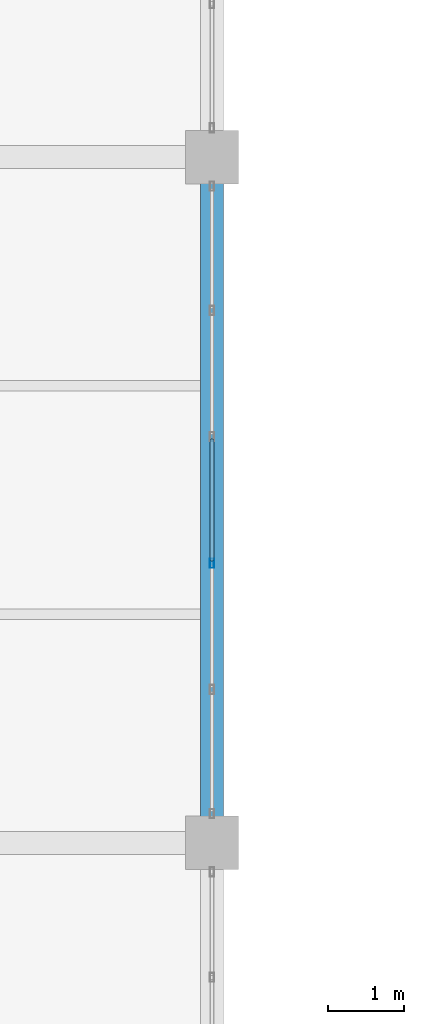
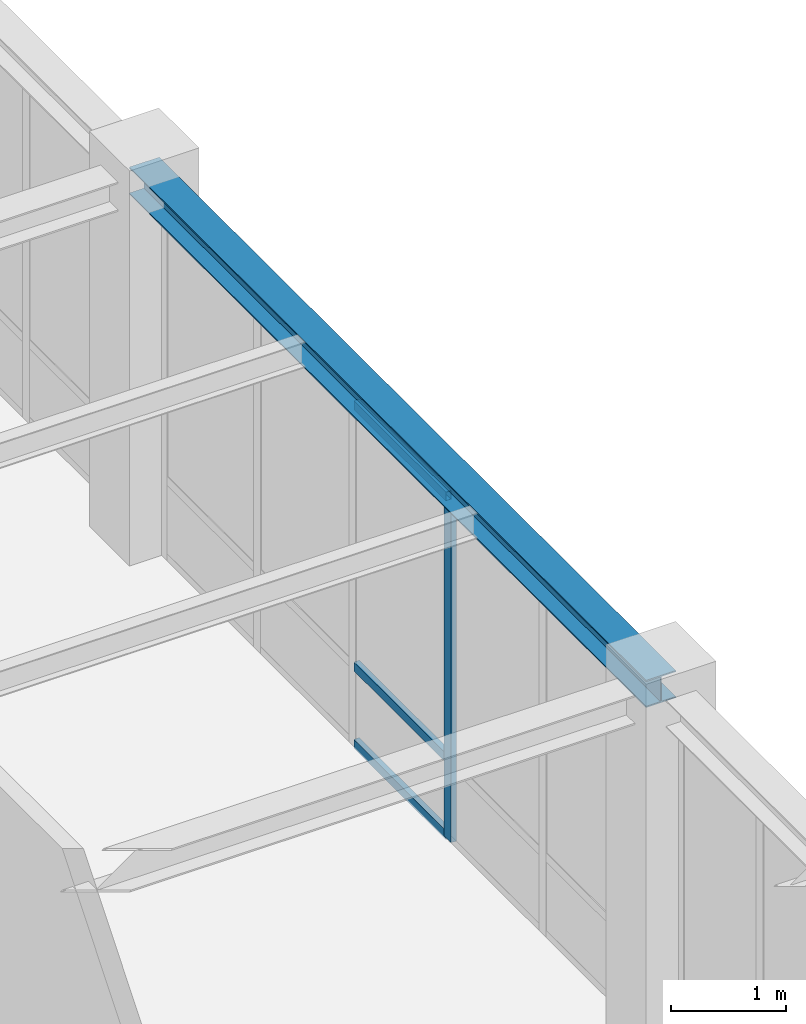
# One storey, part 23 of 130: 4 members, 1 beam, 1 element without a shape of its own.
"""IFC4 building model written with IfcOpenShell, lengths in metres."""

from ifc_helpers import new_model, si_unit, direction, frame, origin, origin_2d, place, context, subcontext, project, spatial, hollow_rectangle, i_section, extrude, material, material_profile, profile_set, type_object, element, aggregate, save


model = new_model("IFC4")

# Units and contexts
model_context = context("Model", 3, precision=1e-05, world=origin(), true_north=direction((0.0, 1.0)))
body_context = subcontext(model_context, "Body", "Model", "MODEL_VIEW")
ifc_project = project(units=[si_unit("LENGTHUNIT", "METRE"), si_unit("AREAUNIT", "SQUARE_METRE"), si_unit("VOLUMEUNIT", "CUBIC_METRE"), si_unit("PLANEANGLEUNIT", "RADIAN"), si_unit("MASSUNIT", "GRAM", prefix="KILO")], contexts=[model_context])

# Site, building, storey
site_placement = place(None, origin())
site = spatial("IfcSite", under=ifc_project, at=site_placement, CompositionType="ELEMENT")
building_placement = place(site_placement, origin())
building = spatial("IfcBuilding", under=site, at=building_placement, Name="Lykobir Media Centre", CompositionType="ELEMENT")
storey_placement = place(building_placement, frame((0.0, 0.0, 19.199951171875)))
storey = spatial("IfcBuildingStorey", under=building, at=storey_placement, Name="L04", CompositionType="ELEMENT", Elevation=19.199951171875)

# Beam
ifc_material_1 = material(Name="Steel S355", Category="steel")
ifc_material_profile_1 = material_profile(ifc_material_1, i_section(OverallWidth=0.300048828125, OverallDepth=0.2900390625, WebThickness=0.008544921875, FlangeThickness=0.013916015625, at=origin_2d()), Name="HEA 300")
ifc_profile_set_1 = profile_set([ifc_material_profile_1], Name="Steel S355")
beam_type = type_object("IfcBeamType", Name="BM-HEA300", PredefinedType="BEAM", material=ifc_profile_set_1)
beam_placement = place(storey_placement, frame((36.0, 27.0, 3.81494140625), z_axis=(0.0, 1.0, 0.0), x_axis=(-1.0, 0.0, 0.0)))
element("IfcBeam", 1, at=beam_placement, inside=storey, type_object=beam_type, Name="Beam BM-L04-0360-0270-0360-0360-2302", PredefinedType="BEAM", context=body_context, shape_type="SweptSolid", body=[
    extrude(i_section(OverallWidth=0.300048828125, OverallDepth=0.2900390625, WebThickness=0.008544921875, FlangeThickness=0.013916015625, at=origin_2d()), origin(), (0.0, 0.0, 1.0), 9.0),
])

# Curtain wall, members
ifc_material_2 = material(Name="Anodized Aluminium AW-6060", Category="aluminium")
curtain_wall_type = type_object("IfcCurtainWallType", Name="CW-COURT-B", PredefinedType="NOTDEFINED", material=ifc_material_2)
curtain_wall_placement = place(storey_placement, origin())
curtain_wall = element("IfcCurtainWall", 2, at=curtain_wall_placement, inside=storey, type_object=curtain_wall_type, Name="Curtain wall CW2-L04-0155", PredefinedType="NOTDEFINED")
ifc_material_profile_2 = material_profile(ifc_material_2, hollow_rectangle(XDim=0.054931640625, YDim=0.1201171875, WallThickness=0.003173828125, at=origin_2d()), Name="ALU MULLION 55x120")
ifc_profile_set_2 = profile_set([ifc_material_profile_2], Name="Anodized Aluminium AW-6060")
member_type_1 = type_object("IfcMemberType", Name="CWM-120", PredefinedType="MULLION", material=ifc_profile_set_2)
member_1_placement = place(storey_placement, frame((36.0, 30.6708984375, 0.0), z_axis=(0.0, 0.0, 1.0), x_axis=(1.0, 0.0, 0.0)))
member_1 = element("IfcMember", 3, at=member_1_placement, type_object=member_type_1, Name="CW2-L04-0155 mullion 4", PredefinedType="MULLION", context=body_context, shape_type="SweptSolid", body=[
    extrude(hollow_rectangle(XDim=0.054931640625, YDim=0.1201171875, WallThickness=0.003173828125, at=origin_2d()), origin(), (0.0, 0.0, 1.0), 3.655029296875),
])
ifc_material_profile_3 = material_profile(ifc_material_2, hollow_rectangle(XDim=0.054931640625, YDim=0.094970703125, WallThickness=0.0029296875, at=origin_2d()), Name="ALU TRANSOM 55x95")
ifc_profile_set_3 = profile_set([ifc_material_profile_3], Name="Anodized Aluminium AW-6060")
member_type_2 = type_object("IfcMemberType", Name="CWT-095", PredefinedType="USERDEFINED", material=ifc_profile_set_3)
member_2_placement = place(storey_placement, frame((36.0, 32.301513671875, 0.027587890625), z_axis=(0.0, -1.0, 0.0), x_axis=(1.0, 0.0, 0.0)))
member_2 = element("IfcMember", 4, at=member_2_placement, type_object=member_type_2, Name="CW2-L04-0155 transom 3.1", ObjectType="TRANSOM", PredefinedType="USERDEFINED", context=body_context, shape_type="SweptSolid", body=[
    extrude(hollow_rectangle(XDim=0.054931640625, YDim=0.094970703125, WallThickness=0.0029296875, at=origin_2d()), origin(), (0.0, 0.0, 1.0), 1.60302734375),
])
member_3_placement = place(storey_placement, frame((36.0, 32.301513671875, 0.85009765625), z_axis=(0.0, -1.0, 0.0), x_axis=(1.0, 0.0, 0.0)))
member_3 = element("IfcMember", 5, at=member_3_placement, type_object=member_type_2, Name="CW2-L04-0155 transom 3.2", ObjectType="TRANSOM", PredefinedType="USERDEFINED", context=body_context, shape_type="SweptSolid", body=[
    extrude(hollow_rectangle(XDim=0.054931640625, YDim=0.094970703125, WallThickness=0.0029296875, at=origin_2d()), origin(), (0.0, 0.0, 1.0), 1.60302734375),
])
member_4_placement = place(storey_placement, frame((36.0, 32.301513671875, 3.62744140625), z_axis=(0.0, -1.0, 0.0), x_axis=(1.0, 0.0, 0.0)))
member_4 = element("IfcMember", 6, at=member_4_placement, type_object=member_type_2, Name="CW2-L04-0155 transom 3.3", ObjectType="TRANSOM", PredefinedType="USERDEFINED", context=body_context, shape_type="SweptSolid", body=[
    extrude(hollow_rectangle(XDim=0.054931640625, YDim=0.094970703125, WallThickness=0.0029296875, at=origin_2d()), origin(), (0.0, 0.0, 1.0), 1.60302734375),
])
aggregate(curtain_wall, [member_1, member_2, member_3, member_4])

save(model, "model.ifc")
